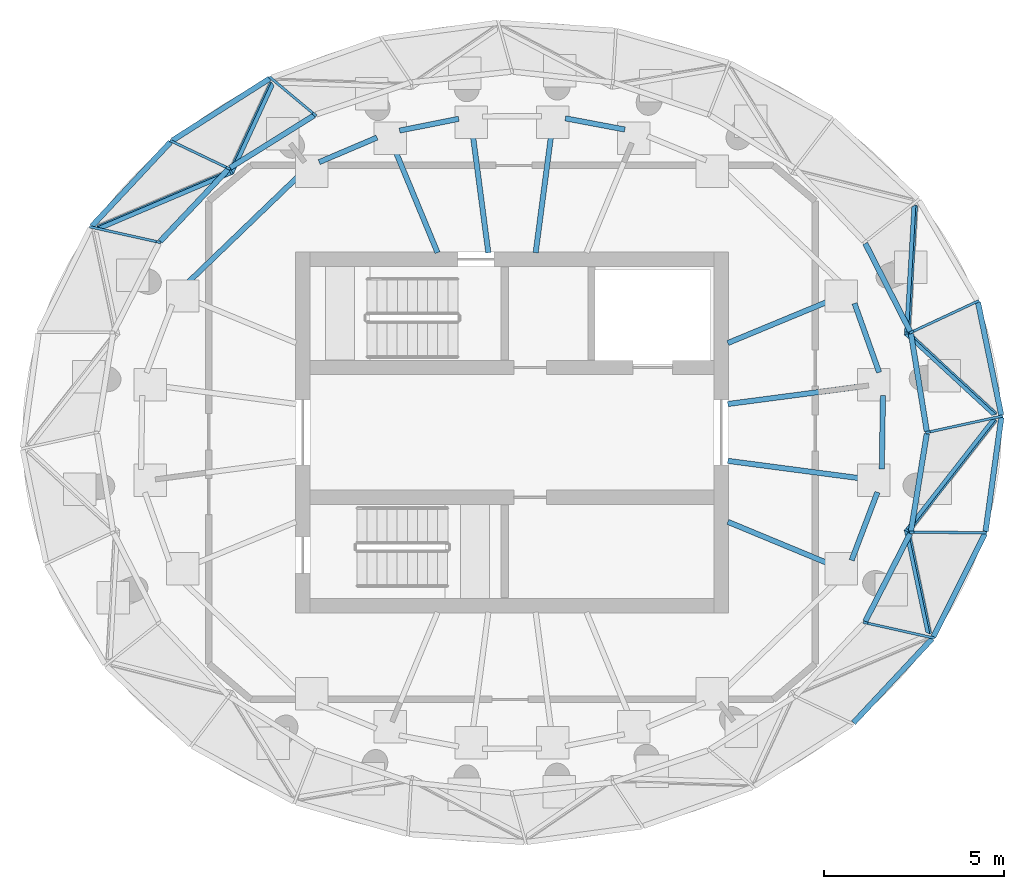
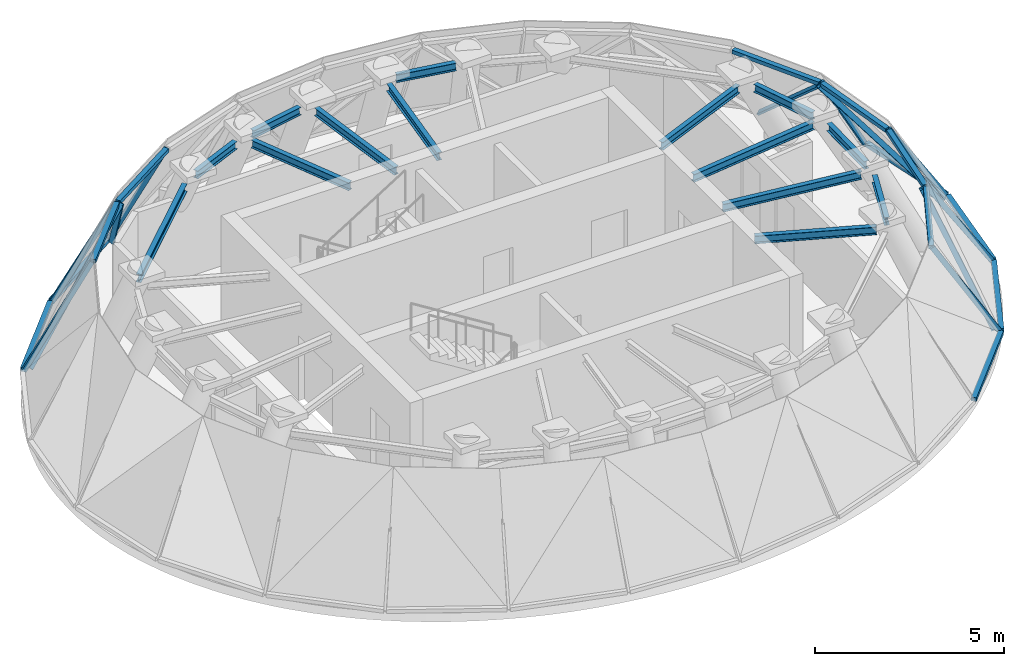
# One storey, part 3 of 8: 25 members, 14 beams, 14 elements without a shape of their own.
"""IFC4 building model written with IfcOpenShell, lengths in metres."""

from ifc_helpers import new_model, si_unit, direction, frame, origin, origin_2d, place, context, subcontext, project, spatial, rectangle, i_section, extrude, source, transform, mapped, material, layer, layer_set, material_profile, profile_set, type_object, element, aggregate, save


model = new_model("IFC4")

# Units and contexts
model_context = context("Model", 3, precision=1e-05, world=origin(), true_north=direction((0.0, 1.0)))
body_context = subcontext(model_context, "Body", "Model", "MODEL_VIEW")
ifc_project = project(units=[si_unit("LENGTHUNIT", "METRE"), si_unit("AREAUNIT", "SQUARE_METRE"), si_unit("VOLUMEUNIT", "CUBIC_METRE"), si_unit("PLANEANGLEUNIT", "RADIAN"), si_unit("MASSUNIT", "GRAM", prefix="KILO")], contexts=[model_context])

# Site, building, storey
site_placement = place(None, origin())
site = spatial("IfcSite", under=ifc_project, at=site_placement, CompositionType="ELEMENT")
building_placement = place(site_placement, origin())
building = spatial("IfcBuilding", under=site, at=building_placement, Name="Spindrift Exchange Tower", CompositionType="ELEMENT")
storey_placement = place(building_placement, frame((0.0, 0.0, 283.60009765625)))
storey = spatial("IfcBuildingStorey", under=building, at=storey_placement, Name="L70", CompositionType="ELEMENT", Elevation=283.60009765625)

# Beams
ifc_material_1 = material(Name="Steel Grade 300", Category="steel")
ifc_material_profile_1 = material_profile(ifc_material_1, i_section(OverallWidth=0.14599609375, OverallDepth=0.251953125, WebThickness=0.006103515625, FlangeThickness=0.008544921875, FilletRadius=0.011962890625, at=origin_2d()), Name="250UB31.4")
ifc_profile_set_1 = profile_set([ifc_material_profile_1], Name="Steel Grade 300")
beam_type_1 = type_object("IfcBeamType", Name="Floor Beam 250UB31.4 Steel Grade 300", PredefinedType="BEAM", material=ifc_profile_set_1)
shared_shape_1 = source(origin(), body_context, "Body", "SweptSolid", [
    extrude(i_section(OverallWidth=0.14599609375, OverallDepth=0.251953125, WebThickness=0.006103515625, FlangeThickness=0.008544921875, FilletRadius=0.011962890625, at=origin_2d()), origin(), (0.0, 0.0, 1.0), 4.010986328125),
])
beam_1_placement = place(storey_placement, frame((57.980224609375, 48.787353515625, 3.093994140625), z_axis=(0.991447664465, 0.130504898859, 0.0), x_axis=(-0.130504898859, 0.991447664465, 0.0)))
element("IfcBeam", 1, at=beam_1_placement, inside=storey, type_object=beam_type_1, Name="L70 radial beam R01A", PredefinedType="BEAM", context=body_context, shape_type="MappedRepresentation", body=[
    mapped(shared_shape_1, transform((0.0, 0.0, 0.0), scale=1.0)),
])
shared_shape_2 = source(origin(), body_context, "Body", "SweptSolid", [
    extrude(i_section(OverallWidth=0.14599609375, OverallDepth=0.251953125, WebThickness=0.006103515625, FlangeThickness=0.008544921875, FilletRadius=0.011962890625, at=origin_2d()), origin(), (0.0, 0.0, 1.0), 3.3505859375),
])
beam_2_placement = place(storey_placement, frame((57.9814453125, 50.4775390625, 3.093994140625), z_axis=(0.923874734416, 0.382695015786, 0.0), x_axis=(-0.382695015786, 0.923874734416, 0.0)))
element("IfcBeam", 2, at=beam_2_placement, inside=storey, type_object=beam_type_1, Name="L70 radial beam R02A", PredefinedType="BEAM", context=body_context, shape_type="MappedRepresentation", body=[
    mapped(shared_shape_2, transform((0.0, 0.0, 0.0), scale=1.0)),
])
shared_shape_3 = source(origin(), body_context, "Body", "SweptSolid", [
    extrude(i_section(OverallWidth=0.14599609375, OverallDepth=0.251953125, WebThickness=0.006103515625, FlangeThickness=0.008544921875, FilletRadius=0.011962890625, at=origin_2d()), origin(), (0.0, 0.0, 1.0), 3.48828125),
])
beam_3_placement = place(storey_placement, frame((52.65576171875, 52.980224609375, 3.093994140625), z_axis=(0.130526929648, 0.991444764289, 0.0), x_axis=(-0.991444764289, 0.130526929648, 0.0)))
element("IfcBeam", 3, at=beam_3_placement, inside=storey, type_object=beam_type_1, Name="L70 radial beam R06A", PredefinedType="BEAM", context=body_context, shape_type="MappedRepresentation", body=[
    mapped(shared_shape_3, transform((0.0, 0.0, 0.0), scale=1.0)),
])
shared_shape_4 = source(origin(), body_context, "Body", "SweptSolid", [
    extrude(i_section(OverallWidth=0.14599609375, OverallDepth=0.251953125, WebThickness=0.006103515625, FlangeThickness=0.008544921875, FilletRadius=0.011962890625, at=origin_2d()), origin(), (0.0, 0.0, 1.0), 3.47802734375),
])
beam_4_placement = place(storey_placement, frame((51.34423828125, 52.980224609375, 3.093994140625), z_axis=(-0.130494460661, 0.991449038396, 0.0), x_axis=(-0.991449038396, -0.130494460661, 0.0)))
element("IfcBeam", 4, at=beam_4_placement, inside=storey, type_object=beam_type_1, Name="L70 radial beam R07A", PredefinedType="BEAM", context=body_context, shape_type="MappedRepresentation", body=[
    mapped(shared_shape_4, transform((0.0, 0.0, 0.0), scale=1.0)),
])
shared_shape_5 = source(origin(), body_context, "Body", "SweptSolid", [
    extrude(i_section(OverallWidth=0.14599609375, OverallDepth=0.251953125, WebThickness=0.006103515625, FlangeThickness=0.008544921875, FilletRadius=0.011962890625, at=origin_2d()), origin(), (0.0, 0.0, 1.0), 3.2626953125),
])
beam_5_placement = place(storey_placement, frame((49.9365234375, 52.9814453125, 3.093994140625), z_axis=(-0.382664600296, 0.923887332785, 0.0), x_axis=(-0.923887332785, -0.382664600296, 0.0)))
element("IfcBeam", 5, at=beam_5_placement, inside=storey, type_object=beam_type_1, Name="L70 radial beam R08A", PredefinedType="BEAM", context=body_context, shape_type="MappedRepresentation", body=[
    mapped(shared_shape_5, transform((0.0, 0.0, 0.0), scale=1.0)),
])
shared_shape_6 = source(origin(), body_context, "Body", "SweptSolid", [
    extrude(i_section(OverallWidth=0.14599609375, OverallDepth=0.251953125, WebThickness=0.006103515625, FlangeThickness=0.008544921875, FilletRadius=0.011962890625, at=origin_2d()), origin(), (0.0, 0.0, 1.0), 3.2568359375),
])
beam_6_placement = place(storey_placement, frame((57.9814453125, 45.5224609375, 3.093994140625), z_axis=(0.923884360021, -0.382671777518, 0.0), x_axis=(0.382671777518, 0.923884360021, 0.0)))
element("IfcBeam", 6, at=beam_6_placement, inside=storey, type_object=beam_type_1, Name="L70 radial beam R23A", PredefinedType="BEAM", context=body_context, shape_type="MappedRepresentation", body=[
    mapped(shared_shape_6, transform((0.0, 0.0, 0.0), scale=1.0)),
])
shared_shape_7 = source(origin(), body_context, "Body", "SweptSolid", [
    extrude(i_section(OverallWidth=0.14599609375, OverallDepth=0.251953125, WebThickness=0.006103515625, FlangeThickness=0.008544921875, FilletRadius=0.011962890625, at=origin_2d()), origin(), (0.0, 0.0, 1.0), 3.97021484375),
])
beam_7_placement = place(storey_placement, frame((57.980224609375, 47.212646484375, 3.093994140625), z_axis=(0.99144989964, -0.130487917077, 0.0), x_axis=(0.130487917077, 0.99144989964, 0.0)))
element("IfcBeam", 7, at=beam_7_placement, inside=storey, type_object=beam_type_1, Name="L70 radial beam R24A", PredefinedType="BEAM", context=body_context, shape_type="MappedRepresentation", body=[
    mapped(shared_shape_7, transform((0.0, 0.0, 0.0), scale=1.0)),
])
ifc_material_profile_2 = material_profile(ifc_material_1, i_section(OverallWidth=0.14599609375, OverallDepth=0.251953125, WebThickness=0.006103515625, FlangeThickness=0.008544921875, FilletRadius=0.011962890625, at=origin_2d()), Name="250UB31.4")
ifc_profile_set_2 = profile_set([ifc_material_profile_2], Name="Steel Grade 300")
beam_type_2 = type_object("IfcBeamType", Name="Edge Beam 250UB31.4 Steel Grade 300", PredefinedType="SPANDREL", material=ifc_profile_set_2)
shared_shape_8 = source(origin(), body_context, "Body", "SweptSolid", [
    extrude(i_section(OverallWidth=0.14599609375, OverallDepth=0.251953125, WebThickness=0.006103515625, FlangeThickness=0.008544921875, FilletRadius=0.011962890625, at=origin_2d()), origin(), (0.0, 0.0, 1.0), 2.028076171875),
])
beam_8_placement = place(storey_placement, frame((62.17333984375, 49.664794921875, 3.093994140625), z_axis=(-0.335733894108, 0.941956873932, 0.0), x_axis=(-0.941956873932, -0.335733894108, 0.0)))
element("IfcBeam", 8, at=beam_8_placement, inside=storey, type_object=beam_type_2, Name="L70 edge beam E01", PredefinedType="SPANDREL", context=body_context, shape_type="MappedRepresentation", body=[
    mapped(shared_shape_8, transform((0.0, 0.0, 0.0), scale=1.0)),
])
shared_shape_9 = source(origin(), body_context, "Body", "SweptSolid", [
    extrude(i_section(OverallWidth=0.14599609375, OverallDepth=0.251953125, WebThickness=0.006103515625, FlangeThickness=0.008544921875, FilletRadius=0.011962890625, at=origin_2d()), origin(), (0.0, 0.0, 1.0), 1.677978515625),
])
beam_9_placement = place(storey_placement, frame((55.127197265625, 56.393798828125, 3.093994140625), z_axis=(-0.982697147571, 0.185219643005, 0.0), x_axis=(-0.185219643005, -0.982697147571, 0.0)))
element("IfcBeam", 9, at=beam_9_placement, inside=storey, type_object=beam_type_2, Name="L70 edge beam E05", PredefinedType="SPANDREL", context=body_context, shape_type="MappedRepresentation", body=[
    mapped(shared_shape_9, transform((0.0, 0.0, 0.0), scale=1.0)),
])
shared_shape_10 = source(origin(), body_context, "Body", "SweptSolid", [
    extrude(i_section(OverallWidth=0.14599609375, OverallDepth=0.251953125, WebThickness=0.006103515625, FlangeThickness=0.008544921875, FilletRadius=0.011962890625, at=origin_2d()), origin(), (0.0, 0.0, 1.0), 1.67041015625),
])
beam_10_placement = place(storey_placement, frame((50.523681640625, 56.69140625, 3.093994140625), z_axis=(-0.98072096057, -0.195413401532, 0.0), x_axis=(0.195413401532, -0.98072096057, 0.0)))
element("IfcBeam", 10, at=beam_10_placement, inside=storey, type_object=beam_type_2, Name="L70 edge beam E07", PredefinedType="SPANDREL", context=body_context, shape_type="MappedRepresentation", body=[
    mapped(shared_shape_10, transform((0.0, 0.0, 0.0), scale=1.0)),
])
shared_shape_11 = source(origin(), body_context, "Body", "SweptSolid", [
    extrude(i_section(OverallWidth=0.14599609375, OverallDepth=0.251953125, WebThickness=0.006103515625, FlangeThickness=0.008544921875, FilletRadius=0.011962890625, at=origin_2d()), origin(), (0.0, 0.0, 1.0), 1.7412109375),
])
beam_11_placement = place(storey_placement, frame((48.258056640625, 56.17138671875, 3.093994140625), z_axis=(-0.920193324375, -0.391464233073, 0.0), x_axis=(0.391464233073, -0.920193324375, 0.0)))
element("IfcBeam", 11, at=beam_11_placement, inside=storey, type_object=beam_type_2, Name="L70 edge beam E08", PredefinedType="SPANDREL", context=body_context, shape_type="MappedRepresentation", body=[
    mapped(shared_shape_11, transform((0.0, 0.0, 0.0), scale=1.0)),
])
shared_shape_12 = source(origin(), body_context, "Body", "SweptSolid", [
    extrude(i_section(OverallWidth=0.14599609375, OverallDepth=0.251953125, WebThickness=0.006103515625, FlangeThickness=0.008544921875, FilletRadius=0.011962890625, at=origin_2d()), origin(), (0.0, 0.0, 1.0), 4.402099609375),
])
beam_12_placement = place(storey_placement, frame((46.1142578125, 55.131591796875, 3.093994140625), z_axis=(-0.720536729088, -0.69341677369, 0.0), x_axis=(0.69341677369, -0.720536729088, 0.0)))
element("IfcBeam", 12, at=beam_12_placement, inside=storey, type_object=beam_type_2, Name="L70 edge beam E09", PredefinedType="SPANDREL", context=body_context, shape_type="MappedRepresentation", body=[
    mapped(shared_shape_12, transform((0.0, 0.0, 0.0), scale=1.0)),
])
shared_shape_13 = source(origin(), body_context, "Body", "SweptSolid", [
    extrude(i_section(OverallWidth=0.14599609375, OverallDepth=0.251953125, WebThickness=0.006103515625, FlangeThickness=0.008544921875, FilletRadius=0.011962890625, at=origin_2d()), origin(), (0.0, 0.0, 1.0), 2.015380859375),
])
beam_13_placement = place(storey_placement, frame((61.412109375, 44.458251953125, 3.093994140625), z_axis=(0.354559289408, 0.935033534315, 0.0), x_axis=(-0.935033534315, 0.354559289408, 0.0)))
element("IfcBeam", 13, at=beam_13_placement, inside=storey, type_object=beam_type_2, Name="L70 edge beam E23", PredefinedType="SPANDREL", context=body_context, shape_type="MappedRepresentation", body=[
    mapped(shared_shape_13, transform((0.0, 0.0, 0.0), scale=1.0)),
])
shared_shape_14 = source(origin(), body_context, "Body", "SweptSolid", [
    extrude(i_section(OverallWidth=0.14599609375, OverallDepth=0.251953125, WebThickness=0.006103515625, FlangeThickness=0.008544921875, FilletRadius=0.011962890625, at=origin_2d()), origin(), (0.0, 0.0, 1.0), 2.042724609375),
])
beam_14_placement = place(storey_placement, frame((62.24853515625, 46.9814453125, 3.093994140625), z_axis=(0.014939762066, 0.999888395527, 0.0), x_axis=(-0.999888395527, 0.014939762066, 0.0)))
element("IfcBeam", 14, at=beam_14_placement, inside=storey, type_object=beam_type_2, Name="L70 edge beam E24", PredefinedType="SPANDREL", context=body_context, shape_type="MappedRepresentation", body=[
    mapped(shared_shape_14, transform((0.0, 0.0, 0.0), scale=1.0)),
])

# Curtain wall, member
ifc_material_2 = material(Name="Fritted laminated glass with bronze frame", Category="glass")
ifc_layer = layer(ifc_material_2, 0.14990234375)
ifc_layer_set = layer_set([ifc_layer], Name="CROWN BRONZE RAKED GLAZED WALL")
curtain_wall_type = type_object("IfcCurtainWallType", Name="CROWN BRONZE RAKED GLAZED WALL", PredefinedType="NOTDEFINED", material=ifc_layer_set)
curtain_wall_1_placement = place(storey_placement, origin())
curtain_wall_1 = element("IfcCurtainWall", 15, at=curtain_wall_1_placement, inside=storey, type_object=curtain_wall_type, Name="L70 Crown Bronze Raked Glazed Wall facet 1", PredefinedType="NOTDEFINED")
ifc_material_3 = material(Name="Bronze anodised aluminium", Category="aluminium")
ifc_material_profile_3 = material_profile(ifc_material_3, rectangle(XDim=0.14990234375, YDim=0.1201171875, at=origin_2d()), Name="CROWN BRONZE RAKED GLAZED WALL TRANSOM 150X120")
ifc_profile_set_3 = profile_set([ifc_material_profile_3], Name="Bronze anodised aluminium")
member_type_1 = type_object("IfcMemberType", Name="CROWN BRONZE RAKED GLAZED WALL TRANSOM 150X120", PredefinedType="USERDEFINED", material=ifc_profile_set_3)
shared_shape_15 = source(origin(), body_context, "Body", "SweptSolid", [
    extrude(rectangle(XDim=0.14990234375, YDim=0.1201171875, at=origin_2d()), origin(), (0.0, 0.0, 1.0), 3.1845703125),
])
member_1_placement = place(storey_placement, frame((65.557373046875, 48.483154296875, 0.059814453125), z_axis=(-0.20208335851, 0.979368325102, 0.0), x_axis=(-0.979368325102, -0.20208335851, 0.0)))
member_1 = element("IfcMember", 16, at=member_1_placement, type_object=member_type_1, Name="L70 transom CW-R.1a", ObjectType="TRANSOM", PredefinedType="USERDEFINED", context=body_context, shape_type="MappedRepresentation", body=[
    mapped(shared_shape_15, transform((0.0, 0.0, 0.0), scale=1.0)),
])

curtain_wall_2_placement = place(storey_placement, origin())
curtain_wall_2 = element("IfcCurtainWall", 17, at=curtain_wall_2_placement, inside=storey, type_object=curtain_wall_type, Name="L70 Crown Bronze Raked Glazed Wall facet 45", PredefinedType="NOTDEFINED")
shared_shape_16 = source(origin(), body_context, "Body", "SweptSolid", [
    extrude(rectangle(XDim=0.14990234375, YDim=0.1201171875, at=origin_2d()), origin(), (0.0, 0.0, 1.0), 3.1875),
])
member_2_placement = place(storey_placement, frame((63.680908203125, 42.3408203125, 0.059814453125), z_axis=(0.446232931799, 0.894916851209, 0.0), x_axis=(-0.894916851209, 0.446232931799, 0.0)))
member_2 = element("IfcMember", 18, at=member_2_placement, type_object=member_type_1, Name="L70 transom CW-R.23a", ObjectType="TRANSOM", PredefinedType="USERDEFINED", context=body_context, shape_type="MappedRepresentation", body=[
    mapped(shared_shape_16, transform((0.0, 0.0, 0.0), scale=1.0)),
])

curtain_wall_3_placement = place(storey_placement, origin())
curtain_wall_3 = element("IfcCurtainWall", 19, at=curtain_wall_3_placement, inside=storey, type_object=curtain_wall_type, Name="L70 Crown Bronze Raked Glazed Wall facet 19", PredefinedType="NOTDEFINED")
shared_shape_17 = source(origin(), body_context, "Body", "SweptSolid", [
    extrude(rectangle(XDim=0.14990234375, YDim=0.1201171875, at=origin_2d()), origin(), (0.0, 0.0, 1.0), 3.1904296875),
])
member_3_placement = place(storey_placement, frame((40.3583984375, 53.716064453125, 0.059814453125), z_axis=(0.68302679433, 0.730393317486, 0.0), x_axis=(-0.730393317486, 0.68302679433, 0.0)))
member_3 = element("IfcMember", 20, at=member_3_placement, type_object=member_type_1, Name="L70 transom CW-R.10a", ObjectType="TRANSOM", PredefinedType="USERDEFINED", context=body_context, shape_type="MappedRepresentation", body=[
    mapped(shared_shape_17, transform((0.0, 0.0, 0.0), scale=1.0)),
])

curtain_wall_4_placement = place(storey_placement, origin())
curtain_wall_4 = element("IfcCurtainWall", 21, at=curtain_wall_4_placement, inside=storey, type_object=curtain_wall_type, Name="L70 Crown Bronze Raked Glazed Wall facet 43", PredefinedType="NOTDEFINED")
member_4_placement = place(storey_placement, frame((63.6416015625, 42.283935546875, 0.059814453125), z_axis=(-0.68302679433, -0.730393317486, 0.0), x_axis=(0.730393317486, -0.68302679433, 0.0)))
member_4 = element("IfcMember", 22, at=member_4_placement, type_object=member_type_1, Name="L70 transom CW-R.22a", ObjectType="TRANSOM", PredefinedType="USERDEFINED", context=body_context, shape_type="MappedRepresentation", body=[
    mapped(shared_shape_17, transform((0.0, 0.0, 0.0), scale=1.0)),
])
aggregate(curtain_wall_4, [member_4])

curtain_wall_5_placement = place(storey_placement, origin())
curtain_wall_5 = element("IfcCurtainWall", 23, at=curtain_wall_5_placement, inside=storey, type_object=curtain_wall_type, Name="L70 Crown Bronze Raked Glazed Wall facet 17", PredefinedType="NOTDEFINED")
shared_shape_18 = source(origin(), body_context, "Body", "SweptSolid", [
    extrude(rectangle(XDim=0.14990234375, YDim=0.1201171875, at=origin_2d()), origin(), (0.0, 0.0, 1.0), 3.19287109375),
])
member_5_placement = place(storey_placement, frame((45.28466796875, 57.804931640625, 0.059814453125), z_axis=(-0.843661487732, -0.536875492193, 0.0), x_axis=(0.536875492193, -0.843661487732, 0.0)))
member_5 = element("IfcMember", 24, at=member_5_placement, type_object=member_type_1, Name="L70 transom CW-R.9a", ObjectType="TRANSOM", PredefinedType="USERDEFINED", context=body_context, shape_type="MappedRepresentation", body=[
    mapped(shared_shape_18, transform((0.0, 0.0, 0.0), scale=1.0)),
])

curtain_wall_6_placement = place(storey_placement, origin())
curtain_wall_6 = element("IfcCurtainWall", 25, at=curtain_wall_6_placement, inside=storey, type_object=curtain_wall_type, Name="L70 Crown Bronze Raked Glazed Wall facet 47", PredefinedType="NOTDEFINED")
shared_shape_19 = source(origin(), body_context, "Body", "SweptSolid", [
    extrude(rectangle(XDim=0.14990234375, YDim=0.1201171875, at=origin_2d()), origin(), (0.0, 0.0, 1.0), 3.184814453125),
])
member_6_placement = place(storey_placement, frame((65.559814453125, 48.4140625, 0.059814453125), z_axis=(-0.136912361198, -0.990583164278, 0.0), x_axis=(0.990583164278, -0.136912361198, 0.0)))
member_6 = element("IfcMember", 26, at=member_6_placement, type_object=member_type_1, Name="L70 transom CW-R.24a", ObjectType="TRANSOM", PredefinedType="USERDEFINED", context=body_context, shape_type="MappedRepresentation", body=[
    mapped(shared_shape_19, transform((0.0, 0.0, 0.0), scale=1.0)),
])

curtain_wall_7_placement = place(storey_placement, origin())
curtain_wall_7 = element("IfcCurtainWall", 27, at=curtain_wall_7_placement, inside=storey, type_object=curtain_wall_type, Name="L70 Crown Bronze Raked Glazed Wall facet 2", PredefinedType="NOTDEFINED")
shared_shape_20 = source(origin(), body_context, "Body", "SweptSolid", [
    extrude(rectangle(XDim=0.14990234375, YDim=0.1201171875, at=origin_2d()), origin(), (0.0, 0.0, 1.0), 2.735595703125),
])
member_7_placement = place(storey_placement, frame((63.494384765625, 48.03466796875, 3.159912109375), z_axis=(-0.160287379872, 0.987070390526, 0.0), x_axis=(-0.987070390526, -0.160287379872, 0.0)))
member_7 = element("IfcMember", 28, at=member_7_placement, type_object=member_type_1, Name="L70 transom CW-R.1b", ObjectType="TRANSOM", PredefinedType="USERDEFINED", context=body_context, shape_type="MappedRepresentation", body=[
    mapped(shared_shape_20, transform((0.0, 0.0, 0.0), scale=1.0)),
])

curtain_wall_8_placement = place(storey_placement, origin())
curtain_wall_8 = element("IfcCurtainWall", 29, at=curtain_wall_8_placement, inside=storey, type_object=curtain_wall_type, Name="L70 Crown Bronze Raked Glazed Wall facet 48", PredefinedType="NOTDEFINED")
member_8_placement = place(storey_placement, frame((63.494384765625, 47.96533203125, 3.159912109375), z_axis=(-0.160287379872, -0.987070390526, 0.0), x_axis=(0.987070390526, -0.160287379872, 0.0)))
member_8 = element("IfcMember", 30, at=member_8_placement, type_object=member_type_1, Name="L70 transom CW-R.24b", ObjectType="TRANSOM", PredefinedType="USERDEFINED", context=body_context, shape_type="MappedRepresentation", body=[
    mapped(shared_shape_20, transform((0.0, 0.0, 0.0), scale=1.0)),
])

# Member
ifc_material_profile_4 = material_profile(ifc_material_3, rectangle(XDim=0.070068359375, YDim=0.14990234375, at=origin_2d()), Name="CROWN BRONZE RAKED GLAZED WALL MULLION 70X150")
ifc_profile_set_4 = profile_set([ifc_material_profile_4], Name="Bronze anodised aluminium")
member_type_2 = type_object("IfcMemberType", Name="CROWN BRONZE RAKED GLAZED WALL MULLION 70X150", PredefinedType="MULLION", material=ifc_profile_set_4)
shared_shape_21 = source(origin(), body_context, "Body", "SweptSolid", [
    extrude(rectangle(XDim=0.070068359375, YDim=0.14990234375, at=origin_2d()), origin(), (0.0, 0.0, 1.0), 3.752685546875),
])
member_9_placement = place(storey_placement, frame((65.5380859375, 48.443115234375, 0.041015625), z_axis=(-0.536057265649, -0.11657944418, 0.836093201228), x_axis=(0.212508416423, -0.97715923623, 0.0)))
member_9 = element("IfcMember", 31, at=member_9_placement, type_object=member_type_2, Name="L70 mullion CW-R.1", PredefinedType="MULLION", context=body_context, shape_type="MappedRepresentation", body=[
    mapped(shared_shape_21, transform((0.0, 0.0, 0.0), scale=1.0)),
])

aggregate(curtain_wall_7, [member_7, member_9])

shared_shape_22 = source(origin(), body_context, "Body", "SweptSolid", [
    extrude(rectangle(XDim=0.070068359375, YDim=0.14990234375, at=origin_2d()), origin(), (0.0, 0.0, 1.0), 4.5390625),
])
member_10_placement = place(storey_placement, frame((65.364013671875, 48.5146484375, 0.054443359375), z_axis=(-0.535132057744, 0.493877028264, 0.685360607073), x_axis=(-0.142544075136, -0.852457021638, 0.502989277126)))
member_10 = element("IfcMember", 32, at=member_10_placement, type_object=member_type_2, Name="L70 glazing bar CW-R.1", PredefinedType="MULLION", context=body_context, shape_type="MappedRepresentation", body=[
    mapped(shared_shape_22, transform((0.0, 0.0, 0.0), scale=1.0)),
])

aggregate(curtain_wall_1, [member_1, member_10])

# Curtain wall, member
curtain_wall_9_placement = place(storey_placement, origin())
curtain_wall_9 = element("IfcCurtainWall", 33, at=curtain_wall_9_placement, inside=storey, type_object=curtain_wall_type, Name="L70 Crown Bronze Raked Glazed Wall facet 4", PredefinedType="NOTDEFINED")
shared_shape_23 = source(origin(), body_context, "Body", "SweptSolid", [
    extrude(rectangle(XDim=0.14990234375, YDim=0.1201171875, at=origin_2d()), origin(), (0.0, 0.0, 1.0), 2.7373046875),
])
member_11_placement = place(storey_placement, frame((61.78955078125, 53.238525390625, 3.159912109375), z_axis=(0.454689853994, -0.890649839541, 0.0), x_axis=(0.890649839541, 0.454689853994, 0.0)))
member_11 = element("IfcMember", 34, at=member_11_placement, type_object=member_type_1, Name="L70 transom CW-R.2b", ObjectType="TRANSOM", PredefinedType="USERDEFINED", context=body_context, shape_type="MappedRepresentation", body=[
    mapped(shared_shape_23, transform((0.0, 0.0, 0.0), scale=1.0)),
])

curtain_wall_10_placement = place(storey_placement, origin())
curtain_wall_10 = element("IfcCurtainWall", 35, at=curtain_wall_10_placement, inside=storey, type_object=curtain_wall_type, Name="L70 Crown Bronze Raked Glazed Wall facet 46", PredefinedType="NOTDEFINED")
member_12_placement = place(storey_placement, frame((61.78955078125, 42.761474609375, 3.159912109375), z_axis=(0.454689853994, 0.890649839541, 0.0), x_axis=(-0.890649839541, 0.454689853994, 0.0)))
member_12 = element("IfcMember", 36, at=member_12_placement, type_object=member_type_1, Name="L70 transom CW-R.23b", ObjectType="TRANSOM", PredefinedType="USERDEFINED", context=body_context, shape_type="MappedRepresentation", body=[
    mapped(shared_shape_23, transform((0.0, 0.0, 0.0), scale=1.0)),
])

curtain_wall_11_placement = place(storey_placement, origin())
curtain_wall_11 = element("IfcCurtainWall", 37, at=curtain_wall_11_placement, inside=storey, type_object=curtain_wall_type, Name="L70 Crown Bronze Raked Glazed Wall facet 3", PredefinedType="NOTDEFINED")
shared_shape_24 = source(origin(), body_context, "Body", "SweptSolid", [
    extrude(rectangle(XDim=0.070068359375, YDim=0.14990234375, at=origin_2d()), origin(), (0.0, 0.0, 1.0), 3.72119140625),
])
member_13_placement = place(storey_placement, frame((64.883544921875, 51.62548828125, 0.040283203125), z_axis=(-0.486431503773, -0.227141336129, 0.843677192745), x_axis=(0.423099548355, -0.906083203785, 0.0)))
member_13 = element("IfcMember", 38, at=member_13_placement, type_object=member_type_2, Name="L70 mullion CW-R.2", PredefinedType="MULLION", context=body_context, shape_type="MappedRepresentation", body=[
    mapped(shared_shape_24, transform((0.0, 0.0, 0.0), scale=1.0)),
])
aggregate(curtain_wall_11, [member_13])

# Member
shared_shape_25 = source(origin(), body_context, "Body", "SweptSolid", [
    extrude(rectangle(XDim=0.070068359375, YDim=0.14990234375, at=origin_2d()), origin(), (0.0, 0.0, 1.0), 4.722412109375),
])
member_14_placement = place(storey_placement, frame((63.15869140625, 54.2607421875, 0.056396484375), z_axis=(-0.043632736966, -0.751837551779, 0.657903093168), x_axis=(0.641923443863, -0.525701067003, -0.558186958259)))
member_14 = element("IfcMember", 39, at=member_14_placement, type_object=member_type_2, Name="L70 glazing bar CW-R.2", PredefinedType="MULLION", context=body_context, shape_type="MappedRepresentation", body=[
    mapped(shared_shape_25, transform((0.0, 0.0, 0.0), scale=1.0)),
])

aggregate(curtain_wall_9, [member_11, member_14])

# Curtain wall, member
curtain_wall_12_placement = place(storey_placement, origin())
curtain_wall_12 = element("IfcCurtainWall", 40, at=curtain_wall_12_placement, inside=storey, type_object=curtain_wall_type, Name="L70 Crown Bronze Raked Glazed Wall facet 20", PredefinedType="NOTDEFINED")
shared_shape_26 = source(origin(), body_context, "Body", "SweptSolid", [
    extrude(rectangle(XDim=0.14990234375, YDim=0.1201171875, at=origin_2d()), origin(), (0.0, 0.0, 1.0), 2.7392578125),
])
member_15_placement = place(storey_placement, frame((42.250244140625, 53.295166015625, 3.159912109375), z_axis=(0.686631384207, 0.727005737406, 0.0), x_axis=(-0.727005737406, 0.686631384207, 0.0)))
member_15 = element("IfcMember", 41, at=member_15_placement, type_object=member_type_1, Name="L70 transom CW-R.10b", ObjectType="TRANSOM", PredefinedType="USERDEFINED", context=body_context, shape_type="MappedRepresentation", body=[
    mapped(shared_shape_26, transform((0.0, 0.0, 0.0), scale=1.0)),
])

# Curtain wall, members
curtain_wall_13_placement = place(storey_placement, origin())
curtain_wall_13 = element("IfcCurtainWall", 42, at=curtain_wall_13_placement, inside=storey, type_object=curtain_wall_type, Name="L70 Crown Bronze Raked Glazed Wall facet 18", PredefinedType="NOTDEFINED")
shared_shape_27 = source(origin(), body_context, "Body", "SweptSolid", [
    extrude(rectangle(XDim=0.14990234375, YDim=0.1201171875, at=origin_2d()), origin(), (0.0, 0.0, 1.0), 2.740966796875),
])
member_16_placement = place(storey_placement, frame((46.509765625, 56.7822265625, 3.159912109375), z_axis=(-0.848233410833, -0.529622583305, 0.0), x_axis=(0.529622583305, -0.848233410833, 0.0)))
member_16 = element("IfcMember", 43, at=member_16_placement, type_object=member_type_1, Name="L70 transom CW-R.9b", ObjectType="TRANSOM", PredefinedType="USERDEFINED", context=body_context, shape_type="MappedRepresentation", body=[
    mapped(shared_shape_27, transform((0.0, 0.0, 0.0), scale=1.0)),
])
shared_shape_28 = source(origin(), body_context, "Body", "SweptSolid", [
    extrude(rectangle(XDim=0.070068359375, YDim=0.14990234375, at=origin_2d()), origin(), (0.0, 0.0, 1.0), 3.519287109375),
])
member_17_placement = place(storey_placement, frame((45.326904296875, 57.81298828125, 0.033203125), z_axis=(0.34088437254, -0.284625270764, 0.895983426075), x_axis=(0.640921611495, 0.767606336555, 0.0)))
member_17 = element("IfcMember", 44, at=member_17_placement, type_object=member_type_2, Name="L70 mullion CW-R.9", PredefinedType="MULLION", context=body_context, shape_type="MappedRepresentation", body=[
    mapped(shared_shape_28, transform((0.0, 0.0, 0.0), scale=1.0)),
])
aggregate(curtain_wall_13, [member_16, member_17])

# Member
shared_shape_29 = source(origin(), body_context, "Body", "SweptSolid", [
    extrude(rectangle(XDim=0.070068359375, YDim=0.14990234375, at=origin_2d()), origin(), (0.0, 0.0, 1.0), 4.115966796875),
])
member_18_placement = place(storey_placement, frame((45.3408203125, 57.647705078125, 0.048828125), z_axis=(-0.27308639431, -0.591667415995, 0.758520593057), x_axis=(0.823631956762, 0.263597947299, 0.502141934098)))
member_18 = element("IfcMember", 45, at=member_18_placement, type_object=member_type_2, Name="L70 glazing bar CW-R.9", PredefinedType="MULLION", context=body_context, shape_type="MappedRepresentation", body=[
    mapped(shared_shape_29, transform((0.0, 0.0, 0.0), scale=1.0)),
])

aggregate(curtain_wall_5, [member_5, member_18])

shared_shape_30 = source(origin(), body_context, "Body", "SweptSolid", [
    extrude(rectangle(XDim=0.070068359375, YDim=0.14990234375, at=origin_2d()), origin(), (0.0, 0.0, 1.0), 3.590087890625),
])
member_19_placement = place(storey_placement, frame((42.579345703125, 56.0634765625, 0.035888671875), z_axis=(0.433994028136, -0.206932595991, 0.876828423501), x_axis=(0.430389205185, 0.902643413569, 0.0)))
member_19 = element("IfcMember", 46, at=member_19_placement, type_object=member_type_2, Name="L70 mullion CW-R.10", PredefinedType="MULLION", context=body_context, shape_type="MappedRepresentation", body=[
    mapped(shared_shape_30, transform((0.0, 0.0, 0.0), scale=1.0)),
])

aggregate(curtain_wall_3, [member_3, member_19])

shared_shape_31 = source(origin(), body_context, "Body", "SweptSolid", [
    extrude(rectangle(XDim=0.070068359375, YDim=0.14990234375, at=origin_2d()), origin(), (0.0, 0.0, 1.0), 5.059814453125),
])
member_20_placement = place(storey_placement, frame((40.553466796875, 53.66943359375, 0.05908203125), z_axis=(0.72730033961, 0.308667171266, 0.61299167481), x_axis=(0.245625272033, 0.716935052943, -0.652435709936)))
member_20 = element("IfcMember", 47, at=member_20_placement, type_object=member_type_2, Name="L70 glazing bar CW-R.10", PredefinedType="MULLION", context=body_context, shape_type="MappedRepresentation", body=[
    mapped(shared_shape_31, transform((0.0, 0.0, 0.0), scale=1.0)),
])

aggregate(curtain_wall_12, [member_15, member_20])

# Curtain wall, member
curtain_wall_14_placement = place(storey_placement, origin())
curtain_wall_14 = element("IfcCurtainWall", 48, at=curtain_wall_14_placement, inside=storey, type_object=curtain_wall_type, Name="L70 Crown Bronze Raked Glazed Wall facet 22", PredefinedType="NOTDEFINED")
shared_shape_32 = source(origin(), body_context, "Body", "SweptSolid", [
    extrude(rectangle(XDim=0.070068359375, YDim=0.14990234375, at=origin_2d()), origin(), (0.0, 0.0, 1.0), 3.667724609375),
])
member_21_placement = place(storey_placement, frame((40.357421875, 53.685302734375, 0.03857421875), z_axis=(0.50335319347, -0.111893244938, 0.856805383013), x_axis=(0.216998798582, 0.976171870837, 0.0)))
member_21 = element("IfcMember", 49, at=member_21_placement, type_object=member_type_2, Name="L70 mullion CW-R.11", PredefinedType="MULLION", context=body_context, shape_type="MappedRepresentation", body=[
    mapped(shared_shape_32, transform((0.0, 0.0, 0.0), scale=1.0)),
])
aggregate(curtain_wall_14, [member_21])

# Member
member_22_placement = place(storey_placement, frame((63.642578125, 42.314697265625, 0.03857421875), z_axis=(-0.50335319347, 0.111893244938, 0.856805383013), x_axis=(-0.216998798582, -0.976171870837, 0.0)))
member_22 = element("IfcMember", 50, at=member_22_placement, type_object=member_type_2, Name="L70 mullion CW-R.23", PredefinedType="MULLION", context=body_context, shape_type="MappedRepresentation", body=[
    mapped(shared_shape_32, transform((0.0, 0.0, 0.0), scale=1.0)),
])

aggregate(curtain_wall_10, [member_12, member_22])

shared_shape_33 = source(origin(), body_context, "Body", "SweptSolid", [
    extrude(rectangle(XDim=0.070068359375, YDim=0.14990234375, at=origin_2d()), origin(), (0.0, 0.0, 1.0), 4.251953125),
])
member_23_placement = place(storey_placement, frame((63.544189453125, 42.46044921875, 0.05078125), z_axis=(-0.140101997854, 0.665254814401, 0.733353572374), x_axis=(-0.604668096199, -0.643989994563, 0.468671932531)))
member_23 = element("IfcMember", 51, at=member_23_placement, type_object=member_type_2, Name="L70 glazing bar CW-R.23", PredefinedType="MULLION", context=body_context, shape_type="MappedRepresentation", body=[
    mapped(shared_shape_33, transform((0.0, 0.0, 0.0), scale=1.0)),
])

aggregate(curtain_wall_2, [member_2, member_23])

shared_shape_34 = source(origin(), body_context, "Body", "SweptSolid", [
    extrude(rectangle(XDim=0.070068359375, YDim=0.14990234375, at=origin_2d()), origin(), (0.0, 0.0, 1.0), 3.731201171875),
])
member_24_placement = place(storey_placement, frame((65.093017578125, 45.224609375, 0.040283203125), z_axis=(-0.540532027733, 0.001570362991, 0.841321972229), x_axis=(-0.002905205026, -0.999995779883, 0.0)))
member_24 = element("IfcMember", 52, at=member_24_placement, type_object=member_type_2, Name="L70 mullion CW-R.24", PredefinedType="MULLION", context=body_context, shape_type="MappedRepresentation", body=[
    mapped(shared_shape_34, transform((0.0, 0.0, 0.0), scale=1.0)),
])

aggregate(curtain_wall_6, [member_6, member_24])

shared_shape_35 = source(origin(), body_context, "Body", "SweptSolid", [
    extrude(rectangle(XDim=0.070068359375, YDim=0.14990234375, at=origin_2d()), origin(), (0.0, 0.0, 1.0), 5.01025390625),
])
member_25_placement = place(storey_placement, frame((65.360107421875, 48.34326171875, 0.058837890625), z_axis=(-0.483428859624, -0.618843515495, 0.61913588251), x_axis=(0.228207047957, -0.771910739839, -0.593359379283)))
member_25 = element("IfcMember", 53, at=member_25_placement, type_object=member_type_2, Name="L70 glazing bar CW-R.24", PredefinedType="MULLION", context=body_context, shape_type="MappedRepresentation", body=[
    mapped(shared_shape_35, transform((0.0, 0.0, 0.0), scale=1.0)),
])

aggregate(curtain_wall_8, [member_8, member_25])

save(model, "model.ifc")
